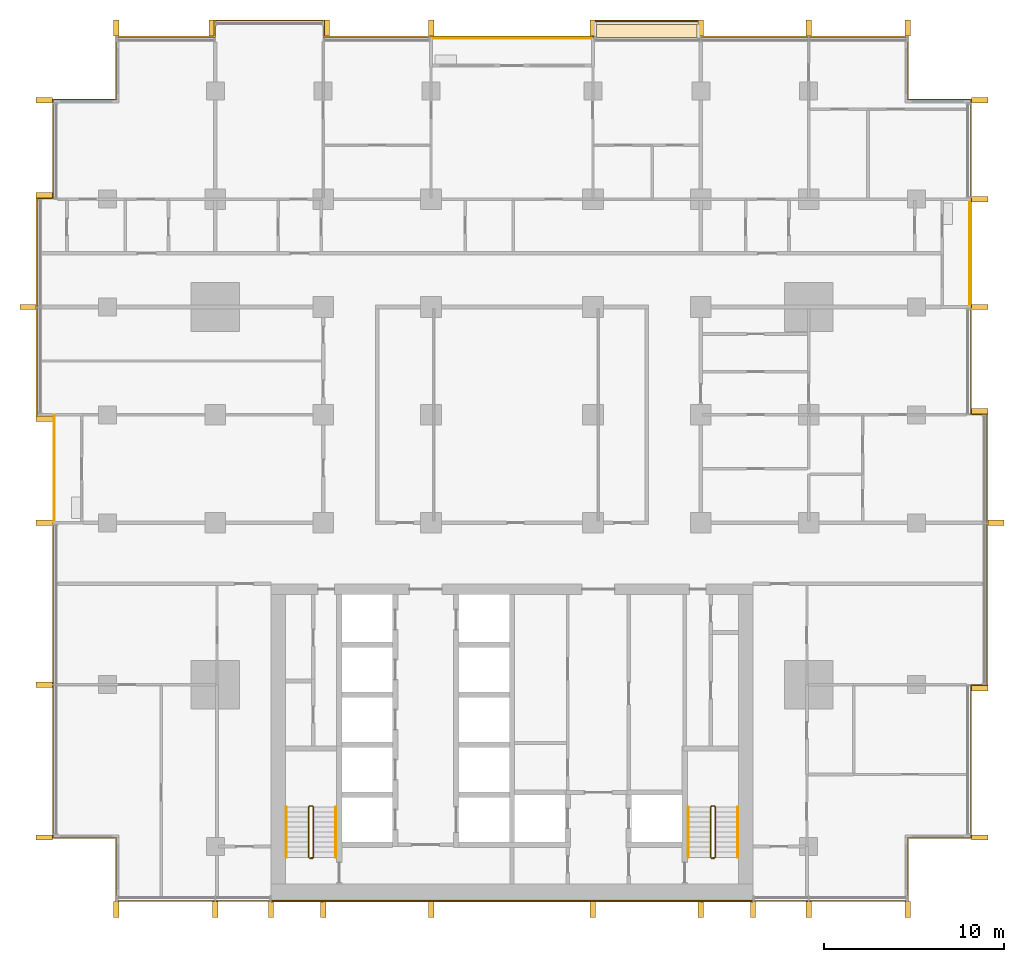
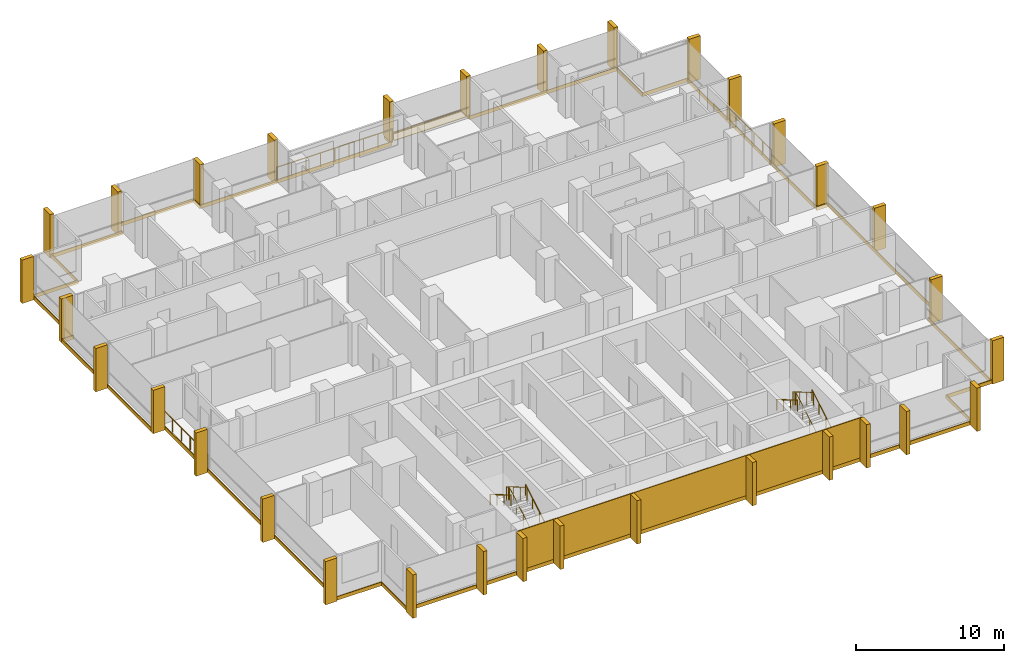
# One storey, part 17 of 17: 32 shading devices, 9 railings, 8 coverings.
"""IFC4 building model written with IfcOpenShell, lengths in metres."""

from ifc_helpers import new_model, si_unit, direction, frame, origin, origin_2d, place, context, subcontext, project, spatial, polyline, rectangle, circle, outline, extrude, material, layer, layer_set, type_object, element, save


model = new_model("IFC4")

# Units and contexts
model_context = context("Model", 3, precision=1e-05, world=origin(), true_north=direction((0.0, 1.0)))
body_context = subcontext(model_context, "Body", "Model", "MODEL_VIEW")
ifc_project = project(units=[si_unit("LENGTHUNIT", "METRE"), si_unit("AREAUNIT", "SQUARE_METRE"), si_unit("VOLUMEUNIT", "CUBIC_METRE"), si_unit("PLANEANGLEUNIT", "RADIAN"), si_unit("MASSUNIT", "GRAM", prefix="KILO")], contexts=[model_context])

# Site, building, storey
site_placement = place(None, origin())
site = spatial("IfcSite", under=ifc_project, at=site_placement, CompositionType="ELEMENT")
building_placement = place(site_placement, origin())
building = spatial("IfcBuilding", under=site, at=building_placement, Name="Finial Court Residences", CompositionType="ELEMENT")
storey_placement = place(building_placement, frame((0.0, 0.0, 91.89990234375)))
storey = spatial("IfcBuildingStorey", under=building, at=storey_placement, Name="L22", CompositionType="ELEMENT", Elevation=91.89990234375)

# Railings
ifc_material_1 = material(Name="Bronze anodised aluminium", Category="aluminium")
railing_type_1 = type_object("IfcRailingType", Name="Balcony guard 1100", PredefinedType="GUARDRAIL", material=ifc_material_1)
railing_1_placement = place(storey_placement, frame((-4.5, 22.449951171875, 0.0)))
element("IfcRailing", 1, at=railing_1_placement, inside=storey, type_object=railing_type_1, Name="E-L22-BALN4-R", PredefinedType="GUARDRAIL", context=body_context, shape_type="SweptSolid", body=[
    extrude(circle(Radius=0.02392578125, at=origin_2d()), frame((0.0, 0.0, 1.076171875), z_axis=(1.0, 0.0, 0.0), x_axis=(0.0, 1.0, 0.0)), (0.0, 0.0, 1.0), 9.0),
    extrude(circle(Radius=0.02099609375, at=origin_2d()), origin(), (0.0, 0.0, 1.0), 1.052001953125),
    extrude(circle(Radius=0.02099609375, at=origin_2d()), frame((1.125, 0.0, 0.0)), (0.0, 0.0, 1.0), 1.052001953125),
    extrude(circle(Radius=0.02099609375, at=origin_2d()), frame((2.25, 0.0, 0.0)), (0.0, 0.0, 1.0), 1.052001953125),
    extrude(circle(Radius=0.02099609375, at=origin_2d()), frame((3.375, 0.0, 0.0)), (0.0, 0.0, 1.0), 1.052001953125),
    extrude(circle(Radius=0.02099609375, at=origin_2d()), frame((4.5, 0.0, 0.0)), (0.0, 0.0, 1.0), 1.052001953125),
    extrude(circle(Radius=0.02099609375, at=origin_2d()), frame((5.625, 0.0, 0.0)), (0.0, 0.0, 1.0), 1.052001953125),
    extrude(circle(Radius=0.02099609375, at=origin_2d()), frame((6.75, 0.0, 0.0)), (0.0, 0.0, 1.0), 1.052001953125),
    extrude(circle(Radius=0.02099609375, at=origin_2d()), frame((7.875, 0.0, 0.0)), (0.0, 0.0, 1.0), 1.052001953125),
    extrude(circle(Radius=0.02099609375, at=origin_2d()), frame((9.0, 0.0, 0.0)), (0.0, 0.0, 1.0), 1.052001953125),
])
for number, where, name in (
    (2, (25.449951171875, 7.5, 0.0), "E-L22-BALE5-R"),
    (3, (-25.449951171875, -4.5, 0.0), "E-L22-BALW3-R"),
):
    element("IfcRailing", number, at=place(storey_placement, frame(where)), inside=storey, type_object=railing_type_1, Name=name, PredefinedType="GUARDRAIL", context=body_context, shape_type="SweptSolid", body=[
        extrude(circle(Radius=0.02392578125, at=origin_2d()), frame((0.0, 0.0, 1.076171875), z_axis=(0.0, 1.0, 0.0), x_axis=(-1.0, 0.0, 0.0)), (0.0, 0.0, 1.0), 6.0),
        extrude(circle(Radius=0.02099609375, at=origin_2d()), origin(), (0.0, 0.0, 1.0), 1.052001953125),
        extrude(circle(Radius=0.02099609375, at=origin_2d()), frame((0.0, 1.199951171875, 0.0)), (0.0, 0.0, 1.0), 1.052001953125),
        extrude(circle(Radius=0.02099609375, at=origin_2d()), frame((0.0, 2.39990234375, 0.0)), (0.0, 0.0, 1.0), 1.052001953125),
        extrude(circle(Radius=0.02099609375, at=origin_2d()), frame((0.0, 3.60009765625, 0.0)), (0.0, 0.0, 1.0), 1.052001953125),
        extrude(circle(Radius=0.02099609375, at=origin_2d()), frame((0.0, 4.800048828125, 0.0)), (0.0, 0.0, 1.0), 1.052001953125),
        extrude(circle(Radius=0.02099609375, at=origin_2d()), frame((0.0, 6.0, 0.0)), (0.0, 0.0, 1.0), 1.052001953125),
    ])

# Coverings
ifc_material_2 = material(Name="Natural limestone", Category="masonry")
ifc_layer_1 = layer(ifc_material_2, 0.06005859375)
ifc_layer_set_1 = layer_set([ifc_layer_1], Name="Limestone cladding to the blind core face 60")
covering_type_1 = type_object("IfcCoveringType", Name="Limestone cladding to the blind core face 60", PredefinedType="CLADDING", material=ifc_layer_set_1)
covering_1_placement = place(storey_placement, origin())
element("IfcCovering", 4, at=covering_1_placement, inside=storey, type_object=covering_type_1, Name="E-L22-CLAD1", PredefinedType="CLADDING", context=body_context, shape_type="SweptSolid", body=[
    extrude(outline(polyline([(-10.5, -25.56005859375), (-10.5, -25.5), (-13.39990234375, -25.5), (-13.39990234375, -25.56005859375), (-10.5, -25.56005859375)])), origin(), (0.0, 0.0, 1.0), 3.300048828125),
])
covering_2_placement = place(storey_placement, origin())
element("IfcCovering", 5, at=covering_2_placement, inside=storey, type_object=covering_type_1, Name="E-L22-CLAD2", PredefinedType="CLADDING", context=body_context, shape_type="SweptSolid", body=[
    extrude(outline(polyline([(-4.5, -25.56005859375), (-4.5, -25.5), (-10.5, -25.5), (-10.5, -25.56005859375), (-4.5, -25.56005859375)])), origin(), (0.0, 0.0, 1.0), 3.300048828125),
])
covering_3_placement = place(storey_placement, origin())
element("IfcCovering", 6, at=covering_3_placement, inside=storey, type_object=covering_type_1, Name="E-L22-CLAD3", PredefinedType="CLADDING", context=body_context, shape_type="SweptSolid", body=[
    extrude(outline(polyline([(4.5, -25.56005859375), (4.5, -25.5), (-4.5, -25.5), (-4.5, -25.56005859375), (4.5, -25.56005859375)])), origin(), (0.0, 0.0, 1.0), 3.300048828125),
])
covering_4_placement = place(storey_placement, origin())
element("IfcCovering", 7, at=covering_4_placement, inside=storey, type_object=covering_type_1, Name="E-L22-CLAD4", PredefinedType="CLADDING", context=body_context, shape_type="SweptSolid", body=[
    extrude(outline(polyline([(10.5, -25.56005859375), (10.5, -25.5), (4.5, -25.5), (4.5, -25.56005859375), (10.5, -25.56005859375)])), origin(), (0.0, 0.0, 1.0), 3.300048828125),
])
covering_5_placement = place(storey_placement, origin())
element("IfcCovering", 8, at=covering_5_placement, inside=storey, type_object=covering_type_1, Name="E-L22-CLAD5", PredefinedType="CLADDING", context=body_context, shape_type="SweptSolid", body=[
    extrude(outline(polyline([(13.39990234375, -25.56005859375), (13.39990234375, -25.5), (10.5, -25.5), (10.5, -25.56005859375), (13.39990234375, -25.56005859375)])), origin(), (0.0, 0.0, 1.0), 3.300048828125),
])

# Shading devices
shading_device_type = type_object("IfcShadingDeviceType", Name="Limestone fin 300 x 900", PredefinedType="USERDEFINED", material=ifc_material_2)
for number, where, z_axis, x_axis, name in (
    (9, (-22.0, 23.010009765625, -0.300048828125), (0.0, 0.0, 1.0), (1.0, 0.0, 0.0), "E-L22-FIN-N1"),
    (10, (-16.7099609375, 23.010009765625, -0.300048828125), (0.0, 0.0, 1.0), (1.0, 0.0, 0.0), "E-L22-FIN-N2"),
    (11, (-10.2900390625, 23.010009765625, -0.300048828125), (0.0, 0.0, 1.0), (1.0, 0.0, 0.0), "E-L22-FIN-N3"),
    (12, (-4.5, 23.010009765625, -0.300048828125), (0.0, 0.0, 1.0), (1.0, 0.0, 0.0), "E-L22-FIN-N4"),
):
    element("IfcShadingDevice", number, at=place(storey_placement, frame(where, z_axis=z_axis, x_axis=x_axis)), inside=storey, type_object=shading_device_type, Name=name, ObjectType="FIN", PredefinedType="USERDEFINED", context=body_context, shape_type="SweptSolid", body=[
        extrude(rectangle(XDim=0.300048828125, YDim=0.89990234375, at=origin_2d()), origin(), (0.0, 0.0, 1.0), 3.580078125),
    ])
for number, where, z_axis, x_axis, name in (
    (13, (4.5, 23.010009765625, 0.0400390625), (0.0, 0.0, 1.0), (1.0, 0.0, 0.0), "E-L22-FIN-N5"),
    (14, (10.5, 23.010009765625, 0.0400390625), (0.0, 0.0, 1.0), (1.0, 0.0, 0.0), "E-L22-FIN-N6"),
):
    element("IfcShadingDevice", number, at=place(storey_placement, frame(where, z_axis=z_axis, x_axis=x_axis)), inside=storey, type_object=shading_device_type, Name=name, ObjectType="FIN", PredefinedType="USERDEFINED", context=body_context, shape_type="SweptSolid", body=[
        extrude(rectangle(XDim=0.300048828125, YDim=0.89990234375, at=origin_2d()), origin(), (0.0, 0.0, 1.0), 3.239990234375),
    ])
for number, where, z_axis, x_axis, name in (
    (15, (16.5, 23.010009765625, -0.300048828125), (0.0, 0.0, 1.0), (1.0, 0.0, 0.0), "E-L22-FIN-N7"),
    (16, (22.0, 23.010009765625, -0.300048828125), (0.0, 0.0, 1.0), (1.0, 0.0, 0.0), "E-L22-FIN-N8"),
):
    element("IfcShadingDevice", number, at=place(storey_placement, frame(where, z_axis=z_axis, x_axis=x_axis)), inside=storey, type_object=shading_device_type, Name=name, ObjectType="FIN", PredefinedType="USERDEFINED", context=body_context, shape_type="SweptSolid", body=[
        extrude(rectangle(XDim=0.300048828125, YDim=0.89990234375, at=origin_2d()), origin(), (0.0, 0.0, 1.0), 3.580078125),
    ])
for number, where, z_axis, x_axis, name in (
    (17, (26.010009765625, -22.0, -0.300048828125), (0.0, 0.0, 1.0), (1.0, 0.0, 0.0), "E-L22-FIN-E9"),
    (18, (26.010009765625, -13.7099609375, -0.300048828125), (0.0, 0.0, 1.0), (1.0, 0.0, 0.0), "E-L22-FIN-E10"),
    (19, (26.909912109375, -4.5, -0.300048828125), (0.0, 0.0, 1.0), (1.0, 0.0, 0.0), "E-L22-FIN-E11"),
    (20, (26.010009765625, 1.7099609375, -0.300048828125), (0.0, 0.0, 1.0), (1.0, 0.0, 0.0), "E-L22-FIN-E12"),
    (21, (26.010009765625, 7.5, -0.300048828125), (0.0, 0.0, 1.0), (1.0, 0.0, 0.0), "E-L22-FIN-E13"),
    (22, (26.010009765625, 13.5, -0.300048828125), (0.0, 0.0, 1.0), (1.0, 0.0, 0.0), "E-L22-FIN-E14"),
    (23, (26.010009765625, 19.0, -0.300048828125), (0.0, 0.0, 1.0), (1.0, 0.0, 0.0), "E-L22-FIN-E15"),
):
    element("IfcShadingDevice", number, at=place(storey_placement, frame(where, z_axis=z_axis, x_axis=x_axis)), inside=storey, type_object=shading_device_type, Name=name, ObjectType="FIN", PredefinedType="USERDEFINED", context=body_context, shape_type="SweptSolid", body=[
        extrude(rectangle(XDim=0.89990234375, YDim=0.300048828125, at=origin_2d()), origin(), (0.0, 0.0, 1.0), 3.580078125),
    ])
for number, where, z_axis, x_axis, name in (
    (24, (-22.0, -26.010009765625, -0.300048828125), (0.0, 0.0, 1.0), (1.0, 0.0, 0.0), "E-L22-FIN-S16"),
    (25, (-16.5, -26.010009765625, -0.300048828125), (0.0, 0.0, 1.0), (1.0, 0.0, 0.0), "E-L22-FIN-S17"),
    (26, (-13.39990234375, -26.010009765625, -0.300048828125), (0.0, 0.0, 1.0), (1.0, 0.0, 0.0), "E-L22-FIN-S18"),
    (27, (-10.5, -26.010009765625, -0.300048828125), (0.0, 0.0, 1.0), (1.0, 0.0, 0.0), "E-L22-FIN-S19"),
    (28, (-4.5, -26.010009765625, -0.300048828125), (0.0, 0.0, 1.0), (1.0, 0.0, 0.0), "E-L22-FIN-S20"),
    (29, (4.5, -26.010009765625, -0.300048828125), (0.0, 0.0, 1.0), (1.0, 0.0, 0.0), "E-L22-FIN-S21"),
    (30, (10.5, -26.010009765625, -0.300048828125), (0.0, 0.0, 1.0), (1.0, 0.0, 0.0), "E-L22-FIN-S22"),
    (31, (13.39990234375, -26.010009765625, -0.300048828125), (0.0, 0.0, 1.0), (1.0, 0.0, 0.0), "E-L22-FIN-S23"),
    (32, (16.5, -26.010009765625, -0.300048828125), (0.0, 0.0, 1.0), (1.0, 0.0, 0.0), "E-L22-FIN-S24"),
    (33, (22.0, -26.010009765625, -0.300048828125), (0.0, 0.0, 1.0), (1.0, 0.0, 0.0), "E-L22-FIN-S25"),
):
    element("IfcShadingDevice", number, at=place(storey_placement, frame(where, z_axis=z_axis, x_axis=x_axis)), inside=storey, type_object=shading_device_type, Name=name, ObjectType="FIN", PredefinedType="USERDEFINED", context=body_context, shape_type="SweptSolid", body=[
        extrude(rectangle(XDim=0.300048828125, YDim=0.89990234375, at=origin_2d()), origin(), (0.0, 0.0, 1.0), 3.580078125),
    ])
for number, where, z_axis, x_axis, name in (
    (34, (-26.010009765625, -22.0, -0.300048828125), (0.0, 0.0, 1.0), (1.0, 0.0, 0.0), "E-L22-FIN-W26"),
    (35, (-26.010009765625, -13.5, -0.300048828125), (0.0, 0.0, 1.0), (1.0, 0.0, 0.0), "E-L22-FIN-W27"),
    (36, (-26.010009765625, -4.5, -0.300048828125), (0.0, 0.0, 1.0), (1.0, 0.0, 0.0), "E-L22-FIN-W28"),
    (37, (-26.010009765625, 1.2900390625, -0.300048828125), (0.0, 0.0, 1.0), (1.0, 0.0, 0.0), "E-L22-FIN-W29"),
    (38, (-26.909912109375, 7.5, -0.300048828125), (0.0, 0.0, 1.0), (1.0, 0.0, 0.0), "E-L22-FIN-W30"),
    (39, (-26.010009765625, 13.7099609375, -0.300048828125), (0.0, 0.0, 1.0), (1.0, 0.0, 0.0), "E-L22-FIN-W31"),
    (40, (-26.010009765625, 19.0, -0.300048828125), (0.0, 0.0, 1.0), (1.0, 0.0, 0.0), "E-L22-FIN-W32"),
):
    element("IfcShadingDevice", number, at=place(storey_placement, frame(where, z_axis=z_axis, x_axis=x_axis)), inside=storey, type_object=shading_device_type, Name=name, ObjectType="FIN", PredefinedType="USERDEFINED", context=body_context, shape_type="SweptSolid", body=[
        extrude(rectangle(XDim=0.89990234375, YDim=0.300048828125, at=origin_2d()), origin(), (0.0, 0.0, 1.0), 3.580078125),
    ])

# Coverings
ifc_material_3 = material(Name="Pale limestone", Category="masonry")
ifc_layer_2 = layer(ifc_material_3, 0.06005859375)
ifc_layer_set_2 = layer_set([ifc_layer_2], Name="Pale limestone slab-edge band 60")
covering_type_2 = type_object("IfcCoveringType", Name="Pale limestone slab-edge band 60", PredefinedType="CLADDING", material=ifc_layer_set_2)
covering_6_placement = place(storey_placement, frame((0.0, 0.0, -0.2998046875)))
element("IfcCovering", 41, at=covering_6_placement, inside=storey, type_object=covering_type_2, Name="E-L22-BAND1", PredefinedType="CLADDING", context=body_context, shape_type="SweptSolid", body=[
    extrude(outline(polyline([(-26.4599609375, 13.56005859375), (-25.56005859375, 13.56005859375), (-25.56005859375, 19.06005859375), (-22.06005859375, 19.06005859375), (-22.06005859375, 22.56005859375), (-16.56005859375, 22.56005859375), (-16.56005859375, 23.4599609375), (-10.43994140625, 23.4599609375), (-10.43994140625, 22.56005859375), (4.43994140625, 22.56005859375), (4.43994140625, 23.4599609375), (10.56005859375, 23.4599609375), (10.56005859375, 22.56005859375), (22.06005859375, 22.56005859375), (22.06005859375, 19.06005859375), (25.56005859375, 19.06005859375), (25.56005859375, 1.56005859375), (26.4599609375, 1.56005859375), (26.4599609375, -13.56005859375), (25.56005859375, -13.56005859375), (25.56005859375, -22.06005859375), (22.06005859375, -22.06005859375), (22.06005859375, -25.56005859375), (-22.06005859375, -25.56005859375), (-22.06005859375, -22.06005859375), (-25.56005859375, -22.06005859375), (-25.56005859375, 1.43994140625), (-26.4599609375, 1.43994140625), (-26.4599609375, 13.56005859375)]), holes=[polyline([(-25.5, 1.5), (-25.5, -4.5), (-25.5, -22.0), (-22.0, -22.0), (-22.0, -25.5), (22.0, -25.5), (22.0, -22.0), (25.5, -22.0), (25.5, -13.5), (26.39990234375, -13.5), (26.39990234375, -4.5), (26.39990234375, 1.5), (25.5, 1.5), (25.5, 7.5), (25.5, 13.5), (25.5, 19.0), (22.0, 19.0), (22.0, 22.5), (10.5, 22.5), (10.5, 23.39990234375), (4.5, 23.39990234375), (4.5, 22.5), (-4.5, 22.5), (-10.5, 22.5), (-10.5, 23.39990234375), (-16.5, 23.39990234375), (-16.5, 22.5), (-22.0, 22.5), (-22.0, 19.0), (-25.5, 19.0), (-25.5, 13.5), (-26.39990234375, 13.5), (-26.39990234375, 7.5), (-26.39990234375, 1.5), (-25.5, 1.5)])]), origin(), (0.0, 0.0, 1.0), 0.2998046875),
])
ifc_material_4 = material(Name="Bitumen membrane")
ifc_layer_3 = layer(ifc_material_4, 0.0400390625)
ifc_layer_set_3 = layer_set([ifc_layer_3], Name="Push box roofing, bitumen membrane 40")
covering_type_3 = type_object("IfcCoveringType", Name="Push box roofing, bitumen membrane 40", PredefinedType="ROOFING", material=ifc_layer_set_3)
covering_7_placement = place(storey_placement, origin())
element("IfcCovering", 42, at=covering_7_placement, inside=storey, type_object=covering_type_3, Name="E-L22-LED1", PredefinedType="ROOFING", context=body_context, shape_type="SweptSolid", body=[
    extrude(outline(polyline([(10.449951171875, 22.5), (10.449951171875, 23.199951171875), (10.449951171875, 23.35009765625), (4.699951171875, 23.35009765625), (4.699951171875, 23.35009765625), (4.550048828125, 23.35009765625), (4.550048828125, 22.5), (4.5, 22.5), (4.5, 23.39990234375), (10.5, 23.39990234375), (10.5, 22.5), (10.449951171875, 22.5)])), origin(), (0.0, 0.0, 1.0), 0.0400390625),
])
covering_8_placement = place(storey_placement, origin())
element("IfcCovering", 43, at=covering_8_placement, inside=storey, type_object=covering_type_3, Name="E-L22-LED1b", PredefinedType="ROOFING", context=body_context, shape_type="SweptSolid", body=[
    extrude(outline(polyline([(4.699951171875, 22.5), (4.699951171875, 23.199951171875), (10.300048828125, 23.199951171875), (10.300048828125, 22.5), (4.699951171875, 22.5)])), origin(), (0.0, 0.0, 1.0), 0.0400390625),
])

# Railings
ifc_material_5 = material(Name="Stainless steel railing", Category="steel")
railing_type_2 = type_object("IfcRailingType", Name="Stair guard 1100", PredefinedType="GUARDRAIL", material=ifc_material_5)
railing_2_placement = place(storey_placement, frame((-11.10009765625, -23.14990234375, 0.0)))
element("IfcRailing", 44, at=railing_2_placement, inside=storey, type_object=railing_type_2, Name="L22 ST-1 stair guard 1", PredefinedType="GUARDRAIL", context=body_context, shape_type="SweptSolid", body=[
    extrude(circle(Radius=0.02392578125, at=origin_2d()), frame((0.0, 0.0, 1.076171875), z_axis=(-1.0, 0.0, 0.0), x_axis=(0.0, -1.0, 0.0)), (0.0, 0.0, 1.0), 0.14990234375),
    extrude(circle(Radius=0.02392578125, at=origin_2d()), frame((-0.14990234375, 0.0, 1.076171875), z_axis=(0.759565762229, 0.189195867515, 0.622306015208), x_axis=(-0.241699205484, 0.970351222016, 0.0)), (0.0, 0.0, 1.0), 0.26318359375),
    extrude(circle(Radius=0.02392578125, at=origin_2d()), frame((0.050048828125, 0.0498046875, 1.23974609375), z_axis=(0.0, 0.863393664356, 0.504530851732), x_axis=(-1.0, 0.0, 0.0)), (0.0, 0.0, 1.0), 3.2431640625),
    extrude(circle(Radius=0.02392578125, at=origin_2d()), frame((0.050048828125, 2.849853515625, 2.8759765625), z_axis=(-0.707106781187, 0.707106781187, 0.0), x_axis=(-0.707106781187, -0.707106781187, 0.0)), (0.0, 0.0, 1.0), 0.07080078125),
    extrude(circle(Radius=0.02392578125, at=origin_2d()), frame((0.0, 2.89990234375, 2.8759765625), z_axis=(-1.0, 0.0, 0.0), x_axis=(0.0, -1.0, 0.0)), (0.0, 0.0, 1.0), 0.14990234375),
    extrude(circle(Radius=0.02392578125, at=origin_2d()), frame((-0.14990234375, 2.89990234375, 2.8759765625), z_axis=(-0.280808744504, -0.280808744504, 0.917765164963), x_axis=(0.707106781187, -0.707106781187, 0.0)), (0.0, 0.0, 1.0), 0.17822265625),
    extrude(circle(Radius=0.02392578125, at=origin_2d()), frame((-0.199951171875, 2.849853515625, 3.03955078125), z_axis=(0.0, -0.863360870873, 0.504586966384), x_axis=(1.0, 0.0, 0.0)), (0.0, 0.0, 1.0), 3.2431640625),
    extrude(circle(Radius=0.02099609375, at=origin_2d()), origin(), (0.0, 0.0, 1.0), 1.052001953125),
    extrude(circle(Radius=0.02099609375, at=origin_2d()), frame((-0.14990234375, 0.0, 0.0)), (0.0, 0.0, 1.0), 1.052001953125),
    extrude(circle(Radius=0.02099609375, at=origin_2d()), frame((0.050048828125, 0.0498046875, 0.163818359375)), (0.0, 0.0, 1.0), 1.052001953125),
    extrude(circle(Radius=0.02099609375, at=origin_2d()), frame((0.050048828125, 0.983154296875, 0.709228515625)), (0.0, 0.0, 1.0), 1.052001953125),
    extrude(circle(Radius=0.02099609375, at=origin_2d()), frame((0.050048828125, 1.91650390625, 1.254638671875)), (0.0, 0.0, 1.0), 1.052001953125),
    extrude(circle(Radius=0.02099609375, at=origin_2d()), frame((0.050048828125, 2.849853515625, 1.800048828125)), (0.0, 0.0, 1.0), 1.052001953125),
    extrude(circle(Radius=0.02099609375, at=origin_2d()), frame((0.0, 2.89990234375, 1.800048828125)), (0.0, 0.0, 1.0), 1.052001953125),
    extrude(circle(Radius=0.02099609375, at=origin_2d()), frame((-0.14990234375, 2.89990234375, 1.800048828125)), (0.0, 0.0, 1.0), 1.052001953125),
    extrude(circle(Radius=0.02099609375, at=origin_2d()), frame((-0.199951171875, 2.849853515625, 1.963623046875)), (0.0, 0.0, 1.0), 1.052001953125),
    extrude(circle(Radius=0.02099609375, at=origin_2d()), frame((-0.199951171875, 1.91650390625, 2.509033203125)), (0.0, 0.0, 1.0), 1.052001953125),
    extrude(circle(Radius=0.02099609375, at=origin_2d()), frame((-0.199951171875, 0.983154296875, 3.0546875)), (0.0, 0.0, 1.0), 1.052001953125),
    extrude(circle(Radius=0.02099609375, at=origin_2d()), frame((-0.199951171875, 0.0498046875, 3.60009765625)), (0.0, 0.0, 1.0), 1.052001953125),
])
railing_3_placement = place(storey_placement, frame((11.25, -23.14990234375, 0.0)))
element("IfcRailing", 45, at=railing_3_placement, inside=storey, type_object=railing_type_2, Name="L22 ST-2 stair guard 1", PredefinedType="GUARDRAIL", context=body_context, shape_type="SweptSolid", body=[
    extrude(circle(Radius=0.02392578125, at=origin_2d()), frame((0.0, 0.0, 1.076171875), z_axis=(-1.0, 0.0, 0.0), x_axis=(0.0, -1.0, 0.0)), (0.0, 0.0, 1.0), 0.14990234375),
    extrude(circle(Radius=0.02392578125, at=origin_2d()), frame((-0.14990234375, 0.0, 1.076171875), z_axis=(0.759565762229, 0.189195867515, 0.622306015208), x_axis=(-0.241699205484, 0.970351222016, 0.0)), (0.0, 0.0, 1.0), 0.26318359375),
    extrude(circle(Radius=0.02392578125, at=origin_2d()), frame((0.050048828125, 0.0498046875, 1.23974609375), z_axis=(0.0, 0.863393664356, 0.504530851732), x_axis=(-1.0, 0.0, 0.0)), (0.0, 0.0, 1.0), 3.2431640625),
    extrude(circle(Radius=0.02392578125, at=origin_2d()), frame((0.050048828125, 2.849853515625, 2.8759765625), z_axis=(-0.707106781187, 0.707106781187, 0.0), x_axis=(-0.707106781187, -0.707106781187, 0.0)), (0.0, 0.0, 1.0), 0.07080078125),
    extrude(circle(Radius=0.02392578125, at=origin_2d()), frame((0.0, 2.89990234375, 2.8759765625), z_axis=(-1.0, 0.0, 0.0), x_axis=(0.0, -1.0, 0.0)), (0.0, 0.0, 1.0), 0.14990234375),
    extrude(circle(Radius=0.02392578125, at=origin_2d()), frame((-0.14990234375, 2.89990234375, 2.8759765625), z_axis=(-0.280808744504, -0.280808744504, 0.917765164963), x_axis=(0.707106781187, -0.707106781187, 0.0)), (0.0, 0.0, 1.0), 0.17822265625),
    extrude(circle(Radius=0.02392578125, at=origin_2d()), frame((-0.199951171875, 2.849853515625, 3.03955078125), z_axis=(0.0, -0.863360870873, 0.504586966384), x_axis=(1.0, 0.0, 0.0)), (0.0, 0.0, 1.0), 3.2431640625),
    extrude(circle(Radius=0.02099609375, at=origin_2d()), origin(), (0.0, 0.0, 1.0), 1.052001953125),
    extrude(circle(Radius=0.02099609375, at=origin_2d()), frame((-0.14990234375, 0.0, 0.0)), (0.0, 0.0, 1.0), 1.052001953125),
    extrude(circle(Radius=0.02099609375, at=origin_2d()), frame((0.050048828125, 0.0498046875, 0.163818359375)), (0.0, 0.0, 1.0), 1.052001953125),
    extrude(circle(Radius=0.02099609375, at=origin_2d()), frame((0.050048828125, 0.983154296875, 0.709228515625)), (0.0, 0.0, 1.0), 1.052001953125),
    extrude(circle(Radius=0.02099609375, at=origin_2d()), frame((0.050048828125, 1.91650390625, 1.254638671875)), (0.0, 0.0, 1.0), 1.052001953125),
    extrude(circle(Radius=0.02099609375, at=origin_2d()), frame((0.050048828125, 2.849853515625, 1.800048828125)), (0.0, 0.0, 1.0), 1.052001953125),
    extrude(circle(Radius=0.02099609375, at=origin_2d()), frame((0.0, 2.89990234375, 1.800048828125)), (0.0, 0.0, 1.0), 1.052001953125),
    extrude(circle(Radius=0.02099609375, at=origin_2d()), frame((-0.14990234375, 2.89990234375, 1.800048828125)), (0.0, 0.0, 1.0), 1.052001953125),
    extrude(circle(Radius=0.02099609375, at=origin_2d()), frame((-0.199951171875, 2.849853515625, 1.963623046875)), (0.0, 0.0, 1.0), 1.052001953125),
    extrude(circle(Radius=0.02099609375, at=origin_2d()), frame((-0.199951171875, 1.91650390625, 2.509033203125)), (0.0, 0.0, 1.0), 1.052001953125),
    extrude(circle(Radius=0.02099609375, at=origin_2d()), frame((-0.199951171875, 0.983154296875, 3.0546875)), (0.0, 0.0, 1.0), 1.052001953125),
    extrude(circle(Radius=0.02099609375, at=origin_2d()), frame((-0.199951171875, 0.0498046875, 3.60009765625)), (0.0, 0.0, 1.0), 1.052001953125),
])
railing_type_3 = type_object("IfcRailingType", Name="Stair handrail 900", PredefinedType="HANDRAIL", material=ifc_material_5)
railing_4_placement = place(storey_placement, frame((-9.800048828125, -23.10009765625, 0.163818359375)))
element("IfcRailing", 46, at=railing_4_placement, inside=storey, type_object=railing_type_3, Name="L22 ST-1 stair handrail 1", PredefinedType="HANDRAIL", context=body_context, shape_type="SweptSolid", body=[
    extrude(circle(Radius=0.02392578125, at=origin_2d()), frame((0.0, 0.0, 0.8759765625), z_axis=(0.0, 0.863393664356, 0.504530851732), x_axis=(-1.0, 0.0, 0.0)), (0.0, 0.0, 1.0), 3.2431640625),
    extrude(circle(Radius=0.02099609375, at=origin_2d()), origin(), (0.0, 0.0, 1.0), 0.851806640625),
    extrude(circle(Radius=0.02099609375, at=origin_2d()), frame((0.0, 0.933349609375, 0.54541015625)), (0.0, 0.0, 1.0), 0.851806640625),
    extrude(circle(Radius=0.02099609375, at=origin_2d()), frame((0.0, 1.86669921875, 1.0908203125)), (0.0, 0.0, 1.0), 0.851806640625),
    extrude(circle(Radius=0.02099609375, at=origin_2d()), frame((0.0, 2.800048828125, 1.63623046875)), (0.0, 0.0, 1.0), 0.851806640625),
])
railing_5_placement = place(storey_placement, frame((-12.550048828125, -20.300048828125, 1.963623046875)))
element("IfcRailing", 47, at=railing_5_placement, inside=storey, type_object=railing_type_3, Name="L22 ST-1 stair handrail 2", PredefinedType="HANDRAIL", context=body_context, shape_type="SweptSolid", body=[
    extrude(circle(Radius=0.02392578125, at=origin_2d()), frame((0.0, 0.0, 0.8759765625), z_axis=(0.0, -0.863360870873, 0.504586966384), x_axis=(1.0, 0.0, 0.0)), (0.0, 0.0, 1.0), 3.2431640625),
    extrude(circle(Radius=0.02099609375, at=origin_2d()), origin(), (0.0, 0.0, 1.0), 0.851806640625),
    extrude(circle(Radius=0.02099609375, at=origin_2d()), frame((0.0, -0.933349609375, 0.54541015625)), (0.0, 0.0, 1.0), 0.851806640625),
    extrude(circle(Radius=0.02099609375, at=origin_2d()), frame((0.0, -1.86669921875, 1.091064453125)), (0.0, 0.0, 1.0), 0.851806640625),
    extrude(circle(Radius=0.02099609375, at=origin_2d()), frame((0.0, -2.800048828125, 1.636474609375)), (0.0, 0.0, 1.0), 0.851806640625),
])
railing_6_placement = place(storey_placement, frame((12.550048828125, -23.10009765625, 0.163818359375)))
element("IfcRailing", 48, at=railing_6_placement, inside=storey, type_object=railing_type_3, Name="L22 ST-2 stair handrail 1", PredefinedType="HANDRAIL", context=body_context, shape_type="SweptSolid", body=[
    extrude(circle(Radius=0.02392578125, at=origin_2d()), frame((0.0, 0.0, 0.8759765625), z_axis=(0.0, 0.863393664356, 0.504530851732), x_axis=(-1.0, 0.0, 0.0)), (0.0, 0.0, 1.0), 3.2431640625),
    extrude(circle(Radius=0.02099609375, at=origin_2d()), origin(), (0.0, 0.0, 1.0), 0.851806640625),
    extrude(circle(Radius=0.02099609375, at=origin_2d()), frame((0.0, 0.933349609375, 0.54541015625)), (0.0, 0.0, 1.0), 0.851806640625),
    extrude(circle(Radius=0.02099609375, at=origin_2d()), frame((0.0, 1.86669921875, 1.0908203125)), (0.0, 0.0, 1.0), 0.851806640625),
    extrude(circle(Radius=0.02099609375, at=origin_2d()), frame((0.0, 2.800048828125, 1.63623046875)), (0.0, 0.0, 1.0), 0.851806640625),
])
railing_7_placement = place(storey_placement, frame((9.800048828125, -20.300048828125, 1.963623046875)))
element("IfcRailing", 49, at=railing_7_placement, inside=storey, type_object=railing_type_3, Name="L22 ST-2 stair handrail 2", PredefinedType="HANDRAIL", context=body_context, shape_type="SweptSolid", body=[
    extrude(circle(Radius=0.02392578125, at=origin_2d()), frame((0.0, 0.0, 0.8759765625), z_axis=(0.0, -0.863360870873, 0.504586966384), x_axis=(1.0, 0.0, 0.0)), (0.0, 0.0, 1.0), 3.2431640625),
    extrude(circle(Radius=0.02099609375, at=origin_2d()), origin(), (0.0, 0.0, 1.0), 0.851806640625),
    extrude(circle(Radius=0.02099609375, at=origin_2d()), frame((0.0, -0.933349609375, 0.54541015625)), (0.0, 0.0, 1.0), 0.851806640625),
    extrude(circle(Radius=0.02099609375, at=origin_2d()), frame((0.0, -1.86669921875, 1.091064453125)), (0.0, 0.0, 1.0), 0.851806640625),
    extrude(circle(Radius=0.02099609375, at=origin_2d()), frame((0.0, -2.800048828125, 1.636474609375)), (0.0, 0.0, 1.0), 0.851806640625),
])

save(model, "model.ifc")
